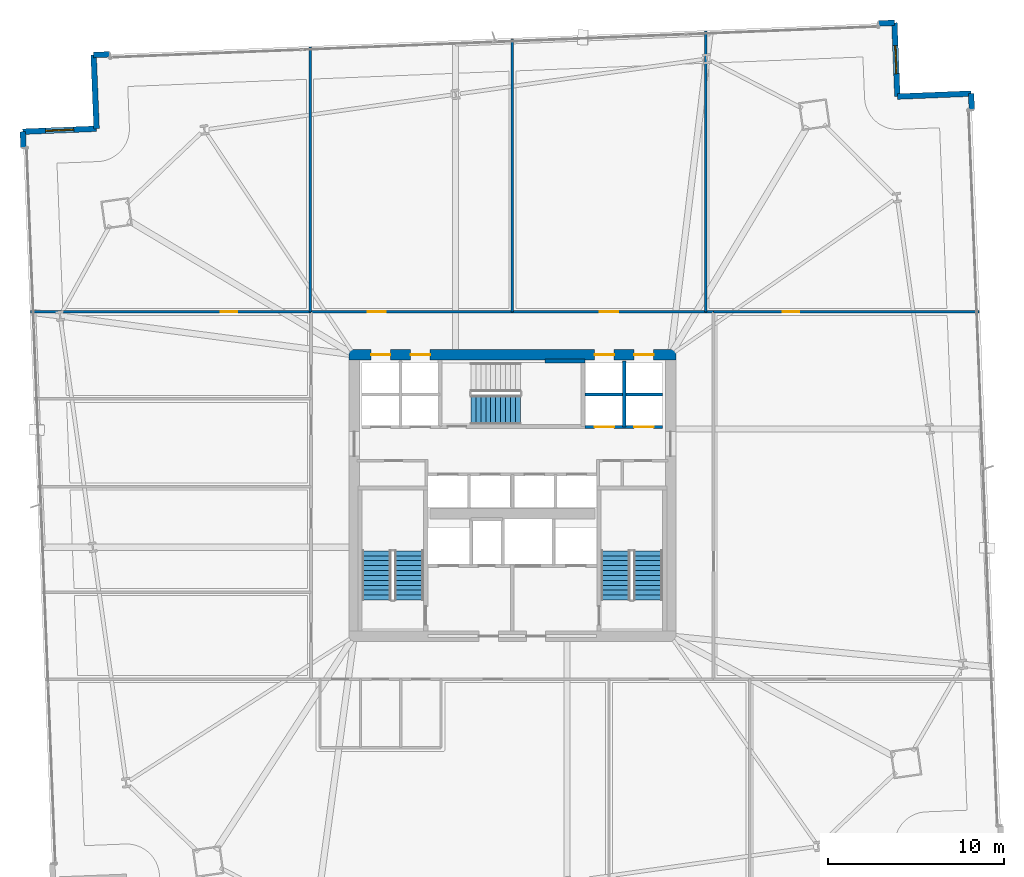
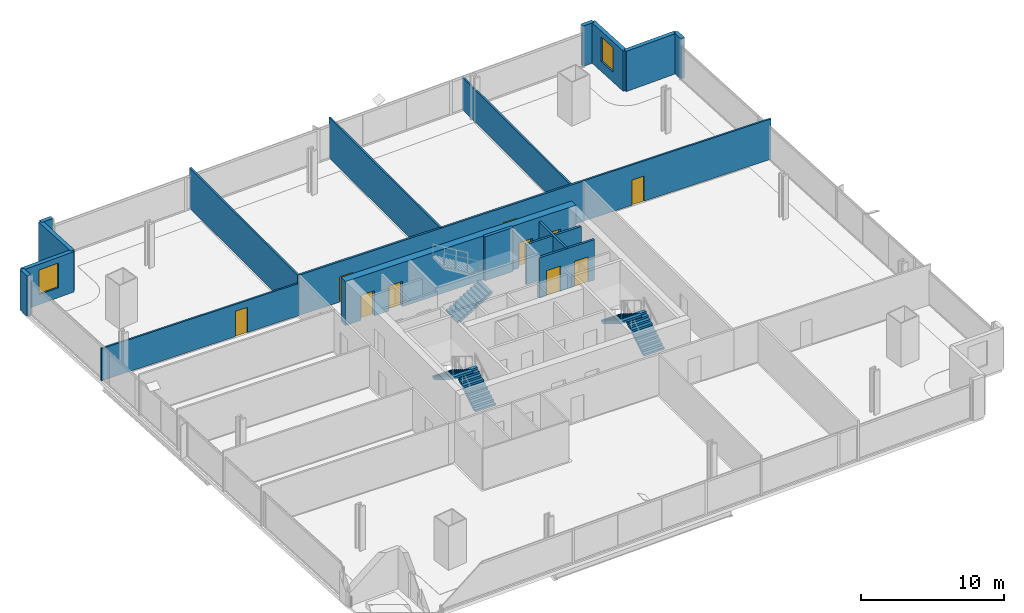
# One storey, part 27 of 32: 19 walls, 10 doors, 5 stair flights, 2 windows, 12 openings, 3 elements without a shape of their own.
"""IFC4 building model written with IfcOpenShell, lengths in metres."""

from ifc_helpers import new_model, si_unit, direction, frame, frame_2d, origin, place, context, subcontext, project, spatial, polyline, rectangle, outline, extrude, material, layer, layer_set, type_object, element, fill, aggregate, save


model = new_model("IFC4")

# Units and contexts
model_context = context("Model", 3, precision=1e-05, world=origin(), true_north=direction((0.0, 1.0)))
body_context = subcontext(model_context, "Body", "Model", "MODEL_VIEW")
ifc_project = project(units=[si_unit("LENGTHUNIT", "METRE"), si_unit("AREAUNIT", "SQUARE_METRE"), si_unit("VOLUMEUNIT", "CUBIC_METRE"), si_unit("PLANEANGLEUNIT", "RADIAN"), si_unit("MASSUNIT", "GRAM", prefix="KILO")], contexts=[model_context])

# Site, building, storey
site_placement = place(None, origin())
site = spatial("IfcSite", under=ifc_project, at=site_placement, CompositionType="ELEMENT")
building_placement = place(site_placement, origin())
building = spatial("IfcBuilding", under=site, at=building_placement, Name="Haldenkirk Collegiate Tower", CompositionType="ELEMENT")
storey_placement = place(building_placement, frame((0.0, 0.0, 36.449951171875)))
storey = spatial("IfcBuildingStorey", under=building, at=storey_placement, Name="L07", CompositionType="ELEMENT", Elevation=36.449951171875)

# Wall, openings, doors
ifc_material_1 = material(Name="Concrete f'c 70 MPa", Category="concrete")
ifc_layer_1 = layer(ifc_material_1, 0.60009765625)
ifc_layer_set_1 = layer_set([ifc_layer_1], Name="Concrete f'c 70 MPa")
wall_type_1 = type_object("IfcWallType", Name="WL-CORE-600", PredefinedType="SHEAR", material=ifc_layer_set_1)
wall_1_placement = place(storey_placement, frame((26.699951171875, 34.0, 0.0), z_axis=(0.0, 0.0, 1.0), x_axis=(1.0, 0.0, 0.0)))
wall_1 = element("IfcWall", 1, at=wall_1_placement, inside=storey, type_object=wall_type_1, Name="L07 central core shear wall N", PredefinedType="SHEAR", context=body_context, shape_type="SweptSolid", body=[
    extrude(rectangle(XDim=18.60009765625, YDim=0.60009765625, at=frame_2d((9.300048828125, 0.0))), origin(), (0.0, 0.0, 1.0), 3.75),
])
opening_1_placement = place(wall_1_placement, frame((1.264892578125, 0.0, 0.0)))
opening_1 = element("IfcOpeningElement", 2, at=opening_1_placement, cuts=wall_1, Name="Opening LD-11", PredefinedType="OPENING", context=body_context, shape_type="SweptSolid", body=[
    extrude(rectangle(XDim=1.10009765625, YDim=2.14990234375, at=frame_2d((0.550048828125, 1.074951171875))), frame((0.0, 0.31005859375, 0.0), z_axis=(0.0, -1.0, 0.0), x_axis=(1.0, 0.0, 0.0)), (0.0, 0.0, 1.0), 0.6201171875),
])
opening_2_placement = place(wall_1_placement, frame((3.514892578125, 0.0, 0.0)))
opening_2 = element("IfcOpeningElement", 3, at=opening_2_placement, cuts=wall_1, Name="Opening LD-11", PredefinedType="OPENING", context=body_context, shape_type="SweptSolid", body=[
    extrude(rectangle(XDim=1.10009765625, YDim=2.14990234375, at=frame_2d((0.550048828125, 1.074951171875))), frame((0.0, 0.31005859375, 0.0), z_axis=(0.0, -1.0, 0.0), x_axis=(1.0, 0.0, 0.0)), (0.0, 0.0, 1.0), 0.6201171875),
])
opening_3_placement = place(wall_1_placement, frame((13.985107421875, 0.0, 0.0)))
opening_3 = element("IfcOpeningElement", 4, at=opening_3_placement, cuts=wall_1, Name="Opening LD-11", PredefinedType="OPENING", context=body_context, shape_type="SweptSolid", body=[
    extrude(rectangle(XDim=1.10009765625, YDim=2.14990234375, at=frame_2d((0.550048828125, 1.074951171875))), frame((0.0, 0.31005859375, 0.0), z_axis=(0.0, -1.0, 0.0), x_axis=(1.0, 0.0, 0.0)), (0.0, 0.0, 1.0), 0.6201171875),
])
opening_4_placement = place(wall_1_placement, frame((16.235107421875, 0.0, 0.0)))
opening_4 = element("IfcOpeningElement", 5, at=opening_4_placement, cuts=wall_1, Name="Opening LD-11", PredefinedType="OPENING", context=body_context, shape_type="SweptSolid", body=[
    extrude(rectangle(XDim=1.10009765625, YDim=2.14990234375, at=frame_2d((0.550048828125, 1.074951171875))), frame((0.0, 0.31005859375, 0.0), z_axis=(0.0, -1.0, 0.0), x_axis=(1.0, 0.0, 0.0)), (0.0, 0.0, 1.0), 0.6201171875),
])
ifc_material_2 = material(Name="Brushed architectural stainless steel", Category="steel")
ifc_layer_2 = layer(ifc_material_2, 0.06005859375)
ifc_layer_set_2 = layer_set([ifc_layer_2], Name="Brushed architectural stainless steel")
door_type_1 = type_object("IfcDoorType", Name="LD-PASS-1100", OperationType="NOTDEFINED", PredefinedType="DOOR", material=ifc_layer_set_2)
door_1_placement = place(opening_1_placement, origin())
door_1 = element("IfcDoor", 6, at=door_1_placement, inside=storey, type_object=door_type_1, Name="L07 Elevator PL3 sliding landing door", OperationType="SLIDING_TO_LEFT", OverallHeight=2.14990234375, OverallWidth=1.10009765625, PredefinedType="DOOR", context=body_context, shape_type="SweptSolid", body=[
    extrude(rectangle(XDim=1.10009765625, YDim=2.14990234375, at=frame_2d((0.550048828125, 1.074951171875))), frame((0.0, 0.02490234375, 0.0), z_axis=(0.0, -1.0, 0.0), x_axis=(1.0, 0.0, 0.0)), (0.0, 0.0, 1.0), 0.050048828125),
])
fill(opening_1, door_1)
door_2_placement = place(opening_2_placement, origin())
door_2 = element("IfcDoor", 7, at=door_2_placement, inside=storey, type_object=door_type_1, Name="L07 Elevator PL4 sliding landing door", OperationType="SLIDING_TO_LEFT", OverallHeight=2.14990234375, OverallWidth=1.10009765625, PredefinedType="DOOR", context=body_context, shape_type="SweptSolid", body=[
    extrude(rectangle(XDim=1.10009765625, YDim=2.14990234375, at=frame_2d((0.550048828125, 1.074951171875))), frame((0.0, 0.02490234375, 0.0), z_axis=(0.0, -1.0, 0.0), x_axis=(1.0, 0.0, 0.0)), (0.0, 0.0, 1.0), 0.050048828125),
])
fill(opening_2, door_2)
door_3_placement = place(opening_3_placement, origin())
door_3 = element("IfcDoor", 8, at=door_3_placement, inside=storey, type_object=door_type_1, Name="L07 Elevator PM3 sliding landing door", OperationType="SLIDING_TO_LEFT", OverallHeight=2.14990234375, OverallWidth=1.10009765625, PredefinedType="DOOR", context=body_context, shape_type="SweptSolid", body=[
    extrude(rectangle(XDim=1.10009765625, YDim=2.14990234375, at=frame_2d((0.550048828125, 1.074951171875))), frame((0.0, 0.02490234375, 0.0), z_axis=(0.0, -1.0, 0.0), x_axis=(1.0, 0.0, 0.0)), (0.0, 0.0, 1.0), 0.050048828125),
])
fill(opening_3, door_3)
door_4_placement = place(opening_4_placement, origin())
door_4 = element("IfcDoor", 9, at=door_4_placement, inside=storey, type_object=door_type_1, Name="L07 Elevator PM4 sliding landing door", OperationType="SLIDING_TO_LEFT", OverallHeight=2.14990234375, OverallWidth=1.10009765625, PredefinedType="DOOR", context=body_context, shape_type="SweptSolid", body=[
    extrude(rectangle(XDim=1.10009765625, YDim=2.14990234375, at=frame_2d((0.550048828125, 1.074951171875))), frame((0.0, 0.02490234375, 0.0), z_axis=(0.0, -1.0, 0.0), x_axis=(1.0, 0.0, 0.0)), (0.0, 0.0, 1.0), 0.050048828125),
])
fill(opening_4, door_4)

# Walls
ifc_material_3 = material(Name="Precast concrete f'c 40 MPa", Category="concrete")
ifc_layer_3 = layer(ifc_material_3, 0.320068359375)
ifc_layer_set_3 = layer_set([ifc_layer_3], Name="Precast concrete f'c 40 MPa")
wall_type_2 = type_object("IfcWallType", Name="WL-EXT-TWR-320", PredefinedType="STANDARD", material=ifc_layer_set_3)
wall_2_placement = place(storey_placement, frame((62.103515625, 48.865966796875, 0.0), z_axis=(0.0, 0.0, 1.0), x_axis=(0.039881360316, -0.999204422078, 0.0)))
element("IfcWall", 10, at=wall_2_placement, inside=storey, type_object=wall_type_2, Name="L07 precast corner pier EL", PredefinedType="STANDARD", context=body_context, shape_type="SweptSolid", body=[
    extrude(rectangle(XDim=0.89990234375, YDim=0.320068359375, at=frame_2d((0.449951171875, 0.0))), origin(), (0.0, 0.0, 1.0), 3.43994140625),
])
wall_3_placement = place(storey_placement, frame((57.90673828125, 48.697509765625, 0.0), z_axis=(0.0, 0.0, 1.0), x_axis=(0.99919537778, 0.040107318829, 0.0)))
element("IfcWall", 11, at=wall_3_placement, inside=storey, type_object=wall_type_2, Name="L07 bronze precast notch wall 05", PredefinedType="STANDARD", context=body_context, shape_type="SweptSolid", body=[
    extrude(rectangle(XDim=4.2001953125, YDim=0.320068359375, at=frame_2d((2.10009765625, 0.0))), origin(), (0.0, 0.0, 1.0), 3.43994140625),
])

# Wall, opening, window
wall_4_placement = place(storey_placement, frame((57.73828125, 52.89404296875, 0.0), z_axis=(0.0, 0.0, 1.0), x_axis=(0.040109648388, -0.999195284269, 0.0)))
wall_4 = element("IfcWall", 12, at=wall_4_placement, inside=storey, type_object=wall_type_2, Name="L07 bronze precast notch wall 06", PredefinedType="STANDARD", context=body_context, shape_type="SweptSolid", body=[
    extrude(rectangle(XDim=4.199951171875, YDim=0.320068359375, at=frame_2d((2.10009765625, 0.0))), origin(), (0.0, 0.0, 1.0), 3.43994140625),
])
opening_5_placement = place(wall_4_placement, frame((1.300048828125, 0.0, 0.85009765625)))
opening_5 = element("IfcOpeningElement", 13, at=opening_5_placement, cuts=wall_4, Name="Opening W-03", PredefinedType="OPENING", context=body_context, shape_type="SweptSolid", body=[
    extrude(rectangle(XDim=1.60009765625, YDim=2.10009765625, at=frame_2d((0.800048828125, 1.050048828125))), frame((0.0, 0.169921875, 0.0), z_axis=(0.0, -1.0, 0.0), x_axis=(1.0, 0.0, 0.0)), (0.0, 0.0, 1.0), 0.340087890625),
])
ifc_material_4 = material(Name="Low-E argon triple insulating glass", Category="glass")
ifc_layer_4 = layer(ifc_material_4, 0.090087890625)
ifc_layer_set_4 = layer_set([ifc_layer_4], Name="Low-E argon triple insulating glass")
window_type = type_object("IfcWindowType", Name="WN-Z1-1600X2100", PartitioningType="SINGLE_PANEL", PredefinedType="WINDOW", material=ifc_layer_set_4)
window_1_placement = place(opening_5_placement, origin())
window_1 = element("IfcWindow", 14, at=window_1_placement, inside=storey, type_object=window_type, Name="L07 precast-frame academic window 5", OverallHeight=2.10009765625, OverallWidth=1.60009765625, PartitioningType="SINGLE_PANEL", PredefinedType="WINDOW", context=body_context, shape_type="SweptSolid", body=[
    extrude(rectangle(XDim=1.60009765625, YDim=2.10009765625, at=frame_2d((0.800048828125, 1.050048828125))), frame((0.0, 0.030029296875, 0.0), z_axis=(0.0, -1.0, 0.0), x_axis=(1.0, 0.0, 0.0)), (0.0, 0.0, 1.0), 0.06005859375),
])
fill(opening_5, window_1)

# Walls
for number, where, z_axis, x_axis, name in (
    (15, (12.1748046875, 51.06396484375, 0.0), (0.0, 0.0, 1.0), (0.999194011416, 0.04014134465, 0.0), "L07 precast corner pier NL"),
    (16, (56.8388671875, 52.85791015625, 0.0), (0.0, 0.0, 1.0), (0.999194011416, 0.04014134465, 0.0), "L07 precast corner pier NR"),
):
    element("IfcWall", number, at=place(storey_placement, frame(where, z_axis=z_axis, x_axis=x_axis)), inside=storey, type_object=wall_type_2, Name=name, PredefinedType="STANDARD", context=body_context, shape_type="SweptSolid", body=[
        extrude(rectangle(XDim=0.900146484375, YDim=0.320068359375, at=frame_2d((0.4501953125, 0.0))), origin(), (0.0, 0.0, 1.0), 3.43994140625),
    ])
wall_5_placement = place(storey_placement, frame((12.343505859375, 46.867431640625, 0.0), z_axis=(0.0, 0.0, 1.0), x_axis=(-0.040167684592, 0.999192952895, 0.0)))
element("IfcWall", 17, at=wall_5_placement, inside=storey, type_object=wall_type_2, Name="L07 bronze precast notch wall 08", PredefinedType="STANDARD", context=body_context, shape_type="SweptSolid", body=[
    extrude(rectangle(XDim=4.199951171875, YDim=0.320068359375, at=frame_2d((2.10009765625, 0.0))), origin(), (0.0, 0.0, 1.0), 3.43994140625),
])

# Wall, opening, window
wall_6_placement = place(storey_placement, frame((8.14697265625, 46.698974609375, 0.0), z_axis=(0.0, 0.0, 1.0), x_axis=(0.999195284269, 0.040109648388, 0.0)))
wall_6 = element("IfcWall", 18, at=wall_6_placement, inside=storey, type_object=wall_type_2, Name="L07 bronze precast notch wall 09", PredefinedType="STANDARD", context=body_context, shape_type="SweptSolid", body=[
    extrude(rectangle(XDim=4.199951171875, YDim=0.320068359375, at=frame_2d((2.10009765625, 0.0))), origin(), (0.0, 0.0, 1.0), 3.43994140625),
])
opening_6_placement = place(wall_6_placement, frame((1.300048828125, 0.0, 0.85009765625)))
opening_6 = element("IfcOpeningElement", 19, at=opening_6_placement, cuts=wall_6, Name="Opening W-03", PredefinedType="OPENING", context=body_context, shape_type="SweptSolid", body=[
    extrude(rectangle(XDim=1.60009765625, YDim=2.10009765625, at=frame_2d((0.800048828125, 1.050048828125))), frame((0.0, 0.169921875, 0.0), z_axis=(0.0, -1.0, 0.0), x_axis=(1.0, 0.0, 0.0)), (0.0, 0.0, 1.0), 0.340087890625),
])
window_2_placement = place(opening_6_placement, origin())
window_2 = element("IfcWindow", 20, at=window_2_placement, inside=storey, type_object=window_type, Name="L07 precast-frame academic window 8", OverallHeight=2.10009765625, OverallWidth=1.60009765625, PartitioningType="SINGLE_PANEL", PredefinedType="WINDOW", context=body_context, shape_type="SweptSolid", body=[
    extrude(rectangle(XDim=1.60009765625, YDim=2.10009765625, at=frame_2d((0.800048828125, 1.050048828125))), frame((0.0, 0.030029296875, 0.0), z_axis=(0.0, -1.0, 0.0), x_axis=(1.0, 0.0, 0.0)), (0.0, 0.0, 1.0), 0.06005859375),
])
fill(opening_6, window_2)

# Wall
wall_7_placement = place(storey_placement, frame((8.18310546875, 45.799560546875, 0.0), z_axis=(0.0, 0.0, 1.0), x_axis=(-0.04014134465, 0.999194011416, 0.0)))
element("IfcWall", 21, at=wall_7_placement, inside=storey, type_object=wall_type_2, Name="L07 precast corner pier WR", PredefinedType="STANDARD", context=body_context, shape_type="SweptSolid", body=[
    extrude(rectangle(XDim=0.900146484375, YDim=0.320068359375, at=frame_2d((0.4501953125, 0.0))), origin(), (0.0, 0.0, 1.0), 3.43994140625),
])

# Wall, openings, doors
ifc_material_5 = material(Name="Acoustic fire-rated gypsum partition", Category="concrete")
ifc_layer_5 = layer(ifc_material_5, 0.159912109375)
ifc_layer_set_5 = layer_set([ifc_layer_5], Name="Acoustic fire-rated gypsum partition")
wall_type_3 = type_object("IfcWallType", Name="WL-INT-CORR-160", PredefinedType="PARTITIONING", material=ifc_layer_set_5)
wall_8_placement = place(storey_placement, frame((24.5, 36.449951171875, 0.0), z_axis=(0.0, 0.0, 1.0), x_axis=(1.0, 0.0, 0.0)))
wall_8 = element("IfcWall", 22, at=wall_8_placement, inside=storey, type_object=wall_type_3, Name="L07 interior partition IW-L07-CN", PredefinedType="PARTITIONING", context=body_context, shape_type="SweptSolid", body=[
    extrude(rectangle(XDim=23.0, YDim=0.159912109375, at=frame_2d((11.5, 0.0))), origin(), (0.0, 0.0, 1.0), 3.43994140625),
])
opening_7_placement = place(wall_8_placement, frame((3.260986328125, 0.0, 0.0)))
opening_7 = element("IfcOpeningElement", 23, at=opening_7_placement, cuts=wall_8, Name="Opening D-09", PredefinedType="OPENING", context=body_context, shape_type="SweptSolid", body=[
    extrude(rectangle(XDim=1.050048828125, YDim=2.14990234375, at=frame_2d((0.52490234375, 1.074951171875))), frame((0.0, 0.08984375, 0.0), z_axis=(0.0, -1.0, 0.0), x_axis=(1.0, 0.0, 0.0)), (0.0, 0.0, 1.0), 0.179931640625),
])
opening_8_placement = place(wall_8_placement, frame((16.47509765625, 0.0, 0.0)))
opening_8 = element("IfcOpeningElement", 24, at=opening_8_placement, cuts=wall_8, Name="Opening D-09", PredefinedType="OPENING", context=body_context, shape_type="SweptSolid", body=[
    extrude(rectangle(XDim=1.050048828125, YDim=2.14990234375, at=frame_2d((0.52490234375, 1.074951171875))), frame((0.0, 0.08984375, 0.0), z_axis=(0.0, -1.0, 0.0), x_axis=(1.0, 0.0, 0.0)), (0.0, 0.0, 1.0), 0.179931640625),
])
ifc_material_6 = material(Name="Solid-core architectural oak fire door", Category="wood")
ifc_layer_6 = layer(ifc_material_6, 0.06005859375)
ifc_layer_set_6 = layer_set([ifc_layer_6], Name="Solid-core architectural oak fire door")
door_type_2 = type_object("IfcDoorType", Name="DR-INT-FD60-1050", OperationType="NOTDEFINED", PredefinedType="DOOR", material=ifc_layer_set_6)
door_5_placement = place(opening_7_placement, origin())
door_5 = element("IfcDoor", 25, at=door_5_placement, inside=storey, type_object=door_type_2, Name="L07 Case Method Seminar Room 5 door", OperationType="SINGLE_SWING_LEFT", OverallHeight=2.14990234375, OverallWidth=1.050048828125, PredefinedType="DOOR", context=body_context, shape_type="SweptSolid", body=[
    extrude(rectangle(XDim=1.050048828125, YDim=2.14990234375, at=frame_2d((0.52490234375, 1.074951171875))), frame((0.0, 0.02490234375, 0.0), z_axis=(0.0, -1.0, 0.0), x_axis=(1.0, 0.0, 0.0)), (0.0, 0.0, 1.0), 0.050048828125),
])
fill(opening_7, door_5)
door_6_placement = place(opening_8_placement, origin())
door_6 = element("IfcDoor", 26, at=door_6_placement, inside=storey, type_object=door_type_2, Name="L07 Critique Seminar Room 6 door", OperationType="SINGLE_SWING_RIGHT", OverallHeight=2.14990234375, OverallWidth=1.050048828125, PredefinedType="DOOR", context=body_context, shape_type="SweptSolid", body=[
    extrude(rectangle(XDim=1.050048828125, YDim=2.14990234375, at=frame_2d((0.52490234375, 1.074951171875))), frame((0.0, 0.02490234375, 0.0), z_axis=(0.0, -1.0, 0.0), x_axis=(1.0, 0.0, 0.0)), (0.0, 0.0, 1.0), 0.050048828125),
])
fill(opening_8, door_6)

# Wall, opening, door
ifc_layer_7 = layer(ifc_material_5, 0.139892578125)
ifc_layer_set_7 = layer_set([ifc_layer_7], Name="Acoustic fire-rated gypsum partition")
wall_type_4 = type_object("IfcWallType", Name="WL-INT-DIV-140", PredefinedType="PARTITIONING", material=ifc_layer_set_7)
wall_9_placement = place(storey_placement, frame((8.5986328125, 36.449951171875, 0.0), z_axis=(0.0, 0.0, 1.0), x_axis=(1.0, 0.0, 0.0)))
wall_9 = element("IfcWall", 27, at=wall_9_placement, inside=storey, type_object=wall_type_4, Name="L07 interior partition IW-L07-BWN", PredefinedType="PARTITIONING", context=body_context, shape_type="SweptSolid", body=[
    extrude(rectangle(XDim=15.951416015625, YDim=0.139892578125, at=frame_2d((7.9755859375, 0.0))), origin(), (0.0, 0.0, 1.0), 2.739013671875),
])
opening_9_placement = place(wall_9_placement, frame((10.809326171875, 0.0, 0.0)))
opening_9 = element("IfcOpeningElement", 28, at=opening_9_placement, cuts=wall_9, Name="Opening D-12", PredefinedType="OPENING", context=body_context, shape_type="SweptSolid", body=[
    extrude(rectangle(XDim=0.949951171875, YDim=2.14990234375, at=frame_2d((0.47509765625, 1.074951171875))), frame((0.0, 0.079833984375, 0.0), z_axis=(0.0, -1.0, 0.0), x_axis=(1.0, 0.0, 0.0)), (0.0, 0.0, 1.0), 0.159912109375),
])
ifc_layer_8 = layer(ifc_material_6, 0.06005859375)
ifc_layer_set_8 = layer_set([ifc_layer_8], Name="Solid-core architectural oak fire door")
door_type_3 = type_object("IfcDoorType", Name="DR-INT-STD-950", OperationType="NOTDEFINED", PredefinedType="DOOR", material=ifc_layer_set_8)
door_7_placement = place(opening_9_placement, origin())
door_7 = element("IfcDoor", 29, at=door_7_placement, inside=storey, type_object=door_type_3, Name="L07 Breakout Conference Room 4 door", OperationType="SINGLE_SWING_RIGHT", OverallHeight=2.14990234375, OverallWidth=0.949951171875, PredefinedType="DOOR", context=body_context, shape_type="SweptSolid", body=[
    extrude(rectangle(XDim=0.949951171875, YDim=2.14990234375, at=frame_2d((0.47509765625, 1.074951171875))), frame((0.0, 0.02490234375, 0.0), z_axis=(0.0, -1.0, 0.0), x_axis=(1.0, 0.0, 0.0)), (0.0, 0.0, 1.0), 0.050048828125),
])
fill(opening_9, door_7)

wall_10_placement = place(storey_placement, frame((47.449951171875, 36.449951171875, 0.0), z_axis=(0.0, 0.0, 1.0), x_axis=(1.0, 0.0, 0.0)))
wall_10 = element("IfcWall", 30, at=wall_10_placement, inside=storey, type_object=wall_type_4, Name="L07 interior partition IW-L07-BEN", PredefinedType="PARTITIONING", context=body_context, shape_type="SweptSolid", body=[
    extrude(rectangle(XDim=15.112060546875, YDim=0.139892578125, at=frame_2d((7.55615234375, 0.0))), origin(), (0.0, 0.0, 1.0), 3.43994140625),
])
opening_10_placement = place(wall_10_placement, frame((3.9208984375, 0.0, 0.0)))
opening_10 = element("IfcOpeningElement", 31, at=opening_10_placement, cuts=wall_10, Name="Opening D-12", PredefinedType="OPENING", context=body_context, shape_type="SweptSolid", body=[
    extrude(rectangle(XDim=0.949951171875, YDim=2.14990234375, at=frame_2d((0.47509765625, 1.074951171875))), frame((0.0, 0.079833984375, 0.0), z_axis=(0.0, -1.0, 0.0), x_axis=(1.0, 0.0, 0.0)), (0.0, 0.0, 1.0), 0.159912109375),
])
door_8_placement = place(opening_10_placement, origin())
door_8 = element("IfcDoor", 32, at=door_8_placement, inside=storey, type_object=door_type_3, Name="L07 Graduate Seminar Room 7 door", OperationType="SINGLE_SWING_LEFT", OverallHeight=2.14990234375, OverallWidth=0.949951171875, PredefinedType="DOOR", context=body_context, shape_type="SweptSolid", body=[
    extrude(rectangle(XDim=0.949951171875, YDim=2.14990234375, at=frame_2d((0.47509765625, 1.074951171875))), frame((0.0, 0.02490234375, 0.0), z_axis=(0.0, -1.0, 0.0), x_axis=(1.0, 0.0, 0.0)), (0.0, 0.0, 1.0), 0.050048828125),
])
fill(opening_10, door_8)

# Walls
wall_11_placement = place(storey_placement, frame((24.5, 36.449951171875, 0.0), z_axis=(0.0, 0.0, 1.0), x_axis=(0.0, 1.0, 0.0)))
element("IfcWall", 33, at=wall_11_placement, inside=storey, type_object=wall_type_4, Name="L07 interior partition IW-L07-RN1", PredefinedType="PARTITIONING", context=body_context, shape_type="SweptSolid", body=[
    extrude(rectangle(XDim=15.069091796875, YDim=0.139892578125, at=frame_2d((7.53466796875, 0.0))), origin(), (0.0, 0.0, 1.0), 3.43994140625),
])
wall_12_placement = place(storey_placement, frame((36.0, 36.449951171875, 0.0), z_axis=(0.0, 0.0, 1.0), x_axis=(0.0, 1.0, 0.0)))
element("IfcWall", 34, at=wall_12_placement, inside=storey, type_object=wall_type_4, Name="L07 interior partition IW-L07-RN2", PredefinedType="PARTITIONING", context=body_context, shape_type="SweptSolid", body=[
    extrude(rectangle(XDim=15.531005859375, YDim=0.139892578125, at=frame_2d((7.765625, 0.0))), origin(), (0.0, 0.0, 1.0), 3.43994140625),
])
wall_13_placement = place(storey_placement, frame((47.0, 36.449951171875, 0.0), z_axis=(0.0, 0.0, 1.0), x_axis=(0.0, 1.0, 0.0)))
element("IfcWall", 35, at=wall_13_placement, inside=storey, type_object=wall_type_4, Name="L07 interior partition IW-L07-RN3", PredefinedType="PARTITIONING", context=body_context, shape_type="SweptSolid", body=[
    extrude(rectangle(XDim=15.972900390625, YDim=0.139892578125, at=frame_2d((7.986328125, 0.0))), origin(), (0.0, 0.0, 1.0), 2.739013671875),
])

# Wall, openings, doors
ifc_material_7 = material(Name="Fire-rated gypsum shaftboard assembly", Category="concrete")
ifc_layer_9 = layer(ifc_material_7, 0.179931640625)
ifc_layer_set_9 = layer_set([ifc_layer_9], Name="Fire-rated gypsum shaftboard assembly")
wall_type_5 = type_object("IfcWallType", Name="WL-INT-SHAFT-180", PredefinedType="PARTITIONING", material=ifc_layer_set_9)
wall_14_placement = place(storey_placement, frame((40.1201171875, 29.89990234375, 0.0), z_axis=(0.0, 0.0, 1.0), x_axis=(1.0, 0.0, 0.0)))
wall_14 = element("IfcWall", 36, at=wall_14_placement, inside=storey, type_object=wall_type_5, Name="L07 interior partition IW-L07-PMS", PredefinedType="PARTITIONING", context=body_context, shape_type="SweptSolid", body=[
    extrude(rectangle(XDim=4.429931640625, YDim=0.179931640625, at=frame_2d((2.21484375, 0.0))), origin(), (0.0, 0.0, 1.0), 3.43994140625),
])
opening_11_placement = place(wall_14_placement, frame((0.56494140625, 0.0, 0.0)))
opening_11 = element("IfcOpeningElement", 37, at=opening_11_placement, cuts=wall_14, Name="Opening LD-11", PredefinedType="OPENING", context=body_context, shape_type="SweptSolid", body=[
    extrude(rectangle(XDim=1.10009765625, YDim=2.14990234375, at=frame_2d((0.550048828125, 1.074951171875))), frame((0.0, 0.099853515625, 0.0), z_axis=(0.0, -1.0, 0.0), x_axis=(1.0, 0.0, 0.0)), (0.0, 0.0, 1.0), 0.199951171875),
])
opening_12_placement = place(wall_14_placement, frame((2.81494140625, 0.0, 0.0)))
opening_12 = element("IfcOpeningElement", 38, at=opening_12_placement, cuts=wall_14, Name="Opening LD-11", PredefinedType="OPENING", context=body_context, shape_type="SweptSolid", body=[
    extrude(rectangle(XDim=1.10009765625, YDim=2.14990234375, at=frame_2d((0.550048828125, 1.074951171875))), frame((0.0, 0.099853515625, 0.0), z_axis=(0.0, -1.0, 0.0), x_axis=(1.0, 0.0, 0.0)), (0.0, 0.0, 1.0), 0.199951171875),
])
door_9_placement = place(opening_11_placement, origin())
door_9 = element("IfcDoor", 39, at=door_9_placement, inside=storey, type_object=door_type_1, Name="L07 Elevator PM1 sliding landing door", OperationType="SLIDING_TO_LEFT", OverallHeight=2.14990234375, OverallWidth=1.10009765625, PredefinedType="DOOR", context=body_context, shape_type="SweptSolid", body=[
    extrude(rectangle(XDim=1.10009765625, YDim=2.14990234375, at=frame_2d((0.550048828125, 1.074951171875))), frame((0.0, 0.02490234375, 0.0), z_axis=(0.0, -1.0, 0.0), x_axis=(1.0, 0.0, 0.0)), (0.0, 0.0, 1.0), 0.050048828125),
])
fill(opening_11, door_9)
door_10_placement = place(opening_12_placement, origin())
door_10 = element("IfcDoor", 40, at=door_10_placement, inside=storey, type_object=door_type_1, Name="L07 Elevator PM2 sliding landing door", OperationType="SLIDING_TO_LEFT", OverallHeight=2.14990234375, OverallWidth=1.10009765625, PredefinedType="DOOR", context=body_context, shape_type="SweptSolid", body=[
    extrude(rectangle(XDim=1.10009765625, YDim=2.14990234375, at=frame_2d((0.550048828125, 1.074951171875))), frame((0.0, 0.02490234375, 0.0), z_axis=(0.0, -1.0, 0.0), x_axis=(1.0, 0.0, 0.0)), (0.0, 0.0, 1.0), 0.050048828125),
])
fill(opening_12, door_10)

# Walls
wall_15_placement = place(storey_placement, frame((40.1201171875, 31.75, 0.0), z_axis=(0.0, 0.0, 1.0), x_axis=(1.0, 0.0, 0.0)))
element("IfcWall", 41, at=wall_15_placement, inside=storey, type_object=wall_type_5, Name="L07 interior partition IW-L07-PMM", PredefinedType="PARTITIONING", context=body_context, shape_type="SweptSolid", body=[
    extrude(rectangle(XDim=4.429931640625, YDim=0.179931640625, at=frame_2d((2.21484375, 0.0))), origin(), (0.0, 0.0, 1.0), 3.43994140625),
])
wall_16_placement = place(storey_placement, frame((42.3701171875, 29.89990234375, 0.0), z_axis=(0.0, 0.0, 1.0), x_axis=(0.0, 1.0, 0.0)))
element("IfcWall", 42, at=wall_16_placement, inside=storey, type_object=wall_type_5, Name="L07 interior partition IW-L07-PMV", PredefinedType="PARTITIONING", context=body_context, shape_type="SweptSolid", body=[
    extrude(rectangle(XDim=3.75, YDim=0.179931640625, at=frame_2d((1.875, 0.0))), origin(), (0.0, 0.0, 1.0), 3.43994140625),
])
ifc_material_8 = material(Name="Concrete f'c 55 MPa", Category="concrete")
ifc_layer_10 = layer(ifc_material_8, 0.239990234375)
ifc_layer_set_10 = layer_set([ifc_layer_10], Name="Concrete f'c 55 MPa")
wall_type_6 = type_object("IfcWallType", Name="WL-SHAFT-240", PredefinedType="SHEAR", material=ifc_layer_set_10)
wall_17_placement = place(storey_placement, frame((37.85009765625, 33.659912109375, 0.0), z_axis=(0.0, 0.0, 1.0), x_axis=(1.0, 0.0, 0.0)))
element("IfcWall", 43, at=wall_17_placement, inside=storey, type_object=wall_type_6, Name="L07 stair shaft shear wall SW-L07-ST3N", PredefinedType="SHEAR", context=body_context, shape_type="SweptSolid", body=[
    extrude(rectangle(XDim=2.289794921875, YDim=0.239990234375, at=frame_2d((1.14501953125, 0.0))), origin(), (0.0, 0.0, 1.0), 3.75),
])

# Stair, stair flights
ifc_material_9 = material(Name="Concrete f'c 40 MPa", Category="concrete")
stair_type = type_object("IfcStairType", Name="STR-DOGLEG-1650", PredefinedType="HALF_TURN_STAIR", material=ifc_material_9)
stair_1_placement = place(storey_placement, origin())
stair_1 = element("IfcStair", 44, at=stair_1_placement, inside=storey, type_object=stair_type, Name="L07 Core Exit Stair ST-1", PredefinedType="HALF_TURN_STAIR")
stair_flight_type = type_object("IfcStairFlightType", Name="STF-FLIGHT-1650", PredefinedType="STRAIGHT", material=ifc_material_9)
stair_flight_1_placement = place(storey_placement, frame((30.125, 20.050048828125, 0.0), z_axis=(0.0, 0.0, 1.0), x_axis=(0.0, 1.0, 0.0)))
stair_flight_1 = element("IfcStairFlight", 45, at=stair_flight_1_placement, type_object=stair_flight_type, Name="ST-1 flight 1", NumberOfRisers=11, NumberOfTreads=10, PredefinedType="STRAIGHT", RiserHeight=0.170454545, TreadLength=0.28, context=body_context, shape_type="SweptSolid", body=[
    extrude(outline(polyline([(0.0, 0.0), (0.0, 0.17041015625), (0.280029296875, 0.17041015625), (0.280029296875, 0.3408203125), (0.56005859375, 0.3408203125), (0.56005859375, 0.511474609375), (0.840087890625, 0.511474609375), (0.840087890625, 0.681884765625), (1.1201171875, 0.681884765625), (1.1201171875, 0.852294921875), (1.39990234375, 0.852294921875), (1.39990234375, 1.022705078125), (1.679931640625, 1.022705078125), (1.679931640625, 1.193115234375), (1.9599609375, 1.193115234375), (1.9599609375, 1.363525390625), (2.239990234375, 1.363525390625), (2.239990234375, 1.5341796875), (2.52001953125, 1.5341796875), (2.52001953125, 1.70458984375), (2.800048828125, 1.70458984375), (2.800048828125, 1.875), (2.800048828125, 1.529052734375), (0.288330078125, 0.0), (0.0, 0.0)])), frame((0.0, 0.824951171875, 0.0), z_axis=(0.0, -1.0, 0.0), x_axis=(1.0, 0.0, 0.0)), (0.0, 0.0, 1.0), 1.64990234375),
])
stair_flight_2_placement = place(storey_placement, frame((28.27490234375, 22.85009765625, 1.875), z_axis=(0.0, 0.0, 1.0), x_axis=(0.0, -1.0, 0.0)))
stair_flight_2 = element("IfcStairFlight", 46, at=stair_flight_2_placement, type_object=stair_flight_type, Name="ST-1 flight 2", NumberOfRisers=11, NumberOfTreads=10, PredefinedType="STRAIGHT", RiserHeight=0.170454545, TreadLength=0.28, context=body_context, shape_type="SweptSolid", body=[
    extrude(outline(polyline([(0.0, 0.0), (0.0, 0.17041015625), (0.280029296875, 0.17041015625), (0.280029296875, 0.3408203125), (0.56005859375, 0.3408203125), (0.56005859375, 0.511474609375), (0.840087890625, 0.511474609375), (0.840087890625, 0.681884765625), (1.1201171875, 0.681884765625), (1.1201171875, 0.852294921875), (1.39990234375, 0.852294921875), (1.39990234375, 1.022705078125), (1.679931640625, 1.022705078125), (1.679931640625, 1.193115234375), (1.9599609375, 1.193115234375), (1.9599609375, 1.363525390625), (2.239990234375, 1.363525390625), (2.239990234375, 1.5341796875), (2.52001953125, 1.5341796875), (2.52001953125, 1.70458984375), (2.800048828125, 1.70458984375), (2.800048828125, 1.875), (2.800048828125, 1.529052734375), (0.288330078125, 0.0), (0.0, 0.0)])), frame((0.0, 0.824951171875, 0.0), z_axis=(0.0, -1.0, 0.0), x_axis=(1.0, 0.0, 0.0)), (0.0, 0.0, 1.0), 1.64990234375),
])
aggregate(stair_1, [stair_flight_1, stair_flight_2])

stair_2_placement = place(storey_placement, origin())
stair_2 = element("IfcStair", 47, at=stair_2_placement, inside=storey, type_object=stair_type, Name="L07 Core Exit Stair ST-2", PredefinedType="HALF_TURN_STAIR")
stair_flight_3_placement = place(storey_placement, frame((43.72509765625, 20.050048828125, 0.0), z_axis=(0.0, 0.0, 1.0), x_axis=(0.0, 1.0, 0.0)))
stair_flight_3 = element("IfcStairFlight", 48, at=stair_flight_3_placement, type_object=stair_flight_type, Name="ST-2 flight 1", NumberOfRisers=11, NumberOfTreads=10, PredefinedType="STRAIGHT", RiserHeight=0.170454545, TreadLength=0.28, context=body_context, shape_type="SweptSolid", body=[
    extrude(outline(polyline([(0.0, 0.0), (0.0, 0.17041015625), (0.280029296875, 0.17041015625), (0.280029296875, 0.3408203125), (0.56005859375, 0.3408203125), (0.56005859375, 0.511474609375), (0.840087890625, 0.511474609375), (0.840087890625, 0.681884765625), (1.1201171875, 0.681884765625), (1.1201171875, 0.852294921875), (1.39990234375, 0.852294921875), (1.39990234375, 1.022705078125), (1.679931640625, 1.022705078125), (1.679931640625, 1.193115234375), (1.9599609375, 1.193115234375), (1.9599609375, 1.363525390625), (2.239990234375, 1.363525390625), (2.239990234375, 1.5341796875), (2.52001953125, 1.5341796875), (2.52001953125, 1.70458984375), (2.800048828125, 1.70458984375), (2.800048828125, 1.875), (2.800048828125, 1.529052734375), (0.288330078125, 0.0), (0.0, 0.0)])), frame((0.0, 0.824951171875, 0.0), z_axis=(0.0, -1.0, 0.0), x_axis=(1.0, 0.0, 0.0)), (0.0, 0.0, 1.0), 1.64990234375),
])
stair_flight_4_placement = place(storey_placement, frame((41.875, 22.85009765625, 1.875), z_axis=(0.0, 0.0, 1.0), x_axis=(0.0, -1.0, 0.0)))
stair_flight_4 = element("IfcStairFlight", 49, at=stair_flight_4_placement, type_object=stair_flight_type, Name="ST-2 flight 2", NumberOfRisers=11, NumberOfTreads=10, PredefinedType="STRAIGHT", RiserHeight=0.170454545, TreadLength=0.28, context=body_context, shape_type="SweptSolid", body=[
    extrude(outline(polyline([(0.0, 0.0), (0.0, 0.17041015625), (0.280029296875, 0.17041015625), (0.280029296875, 0.3408203125), (0.56005859375, 0.3408203125), (0.56005859375, 0.511474609375), (0.840087890625, 0.511474609375), (0.840087890625, 0.681884765625), (1.1201171875, 0.681884765625), (1.1201171875, 0.852294921875), (1.39990234375, 0.852294921875), (1.39990234375, 1.022705078125), (1.679931640625, 1.022705078125), (1.679931640625, 1.193115234375), (1.9599609375, 1.193115234375), (1.9599609375, 1.363525390625), (2.239990234375, 1.363525390625), (2.239990234375, 1.5341796875), (2.52001953125, 1.5341796875), (2.52001953125, 1.70458984375), (2.800048828125, 1.70458984375), (2.800048828125, 1.875), (2.800048828125, 1.529052734375), (0.288330078125, 0.0), (0.0, 0.0)])), frame((0.0, 0.824951171875, 0.0), z_axis=(0.0, -1.0, 0.0), x_axis=(1.0, 0.0, 0.0)), (0.0, 0.0, 1.0), 1.64990234375),
])
aggregate(stair_2, [stair_flight_3, stair_flight_4])

# Stair, stair flight
stair_3_placement = place(storey_placement, origin())
stair_3 = element("IfcStair", 50, at=stair_3_placement, inside=storey, type_object=stair_type, Name="L07 Core Exit Stair ST-3", PredefinedType="HALF_TURN_STAIR")
stair_flight_5_placement = place(storey_placement, frame((33.64990234375, 30.875, 0.0), z_axis=(0.0, 0.0, 1.0), x_axis=(1.0, 0.0, 0.0)))
stair_flight_5 = element("IfcStairFlight", 51, at=stair_flight_5_placement, type_object=stair_flight_type, Name="ST-3 flight 1", NumberOfRisers=11, NumberOfTreads=10, PredefinedType="STRAIGHT", RiserHeight=0.170454545, TreadLength=0.28, context=body_context, shape_type="SweptSolid", body=[
    extrude(outline(polyline([(0.0, 0.0), (0.0, 0.17041015625), (0.280029296875, 0.17041015625), (0.280029296875, 0.3408203125), (0.56005859375, 0.3408203125), (0.56005859375, 0.511474609375), (0.840087890625, 0.511474609375), (0.840087890625, 0.681884765625), (1.1201171875, 0.681884765625), (1.1201171875, 0.852294921875), (1.39990234375, 0.852294921875), (1.39990234375, 1.022705078125), (1.679931640625, 1.022705078125), (1.679931640625, 1.193115234375), (1.9599609375, 1.193115234375), (1.9599609375, 1.363525390625), (2.239990234375, 1.363525390625), (2.239990234375, 1.5341796875), (2.52001953125, 1.5341796875), (2.52001953125, 1.70458984375), (2.800048828125, 1.70458984375), (2.800048828125, 1.875), (2.800048828125, 1.529052734375), (0.288330078125, 0.0), (0.0, 0.0)])), frame((0.0, 0.824951171875, 0.0), z_axis=(0.0, -1.0, 0.0), x_axis=(1.0, 0.0, 0.0)), (0.0, 0.0, 1.0), 1.64990234375),
])
aggregate(stair_3, [stair_flight_5])

save(model, "model.ifc")
